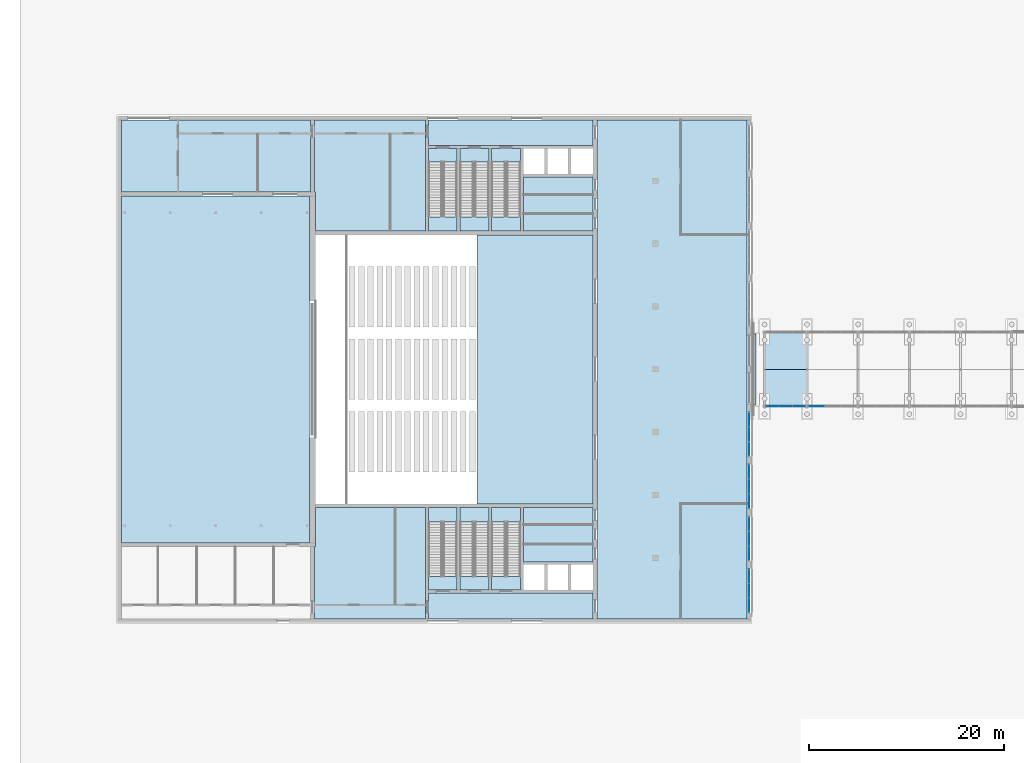
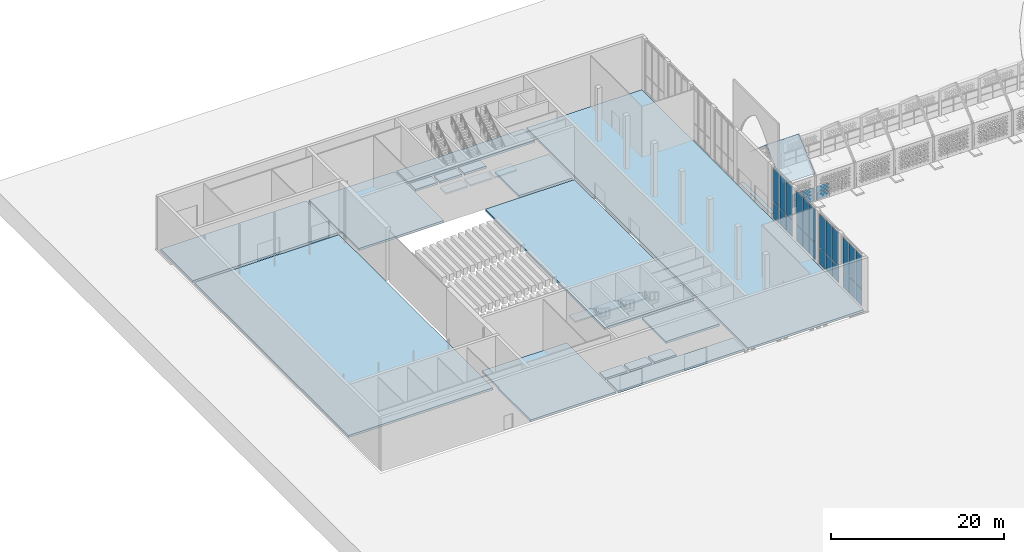
# One storey, part 33 of 79: 33 plates, 24 slabs, 12 elements without a shape of their own.
"""IFC4 building model written with IfcOpenShell, lengths in metres."""

from ifc_helpers import new_model, si_unit, direction, frame, origin, origin_2d, place, context, subcontext, project, spatial, polyline, rectangle, outline, extrude, material, layer, layer_set, type_object, element, aggregate, save


model = new_model("IFC4")

# Units and contexts
model_context = context("Model", 3, precision=1e-05, world=origin(), true_north=direction((0.0, 1.0)))
body_context = subcontext(model_context, "Body", "Model", "MODEL_VIEW")
ifc_project = project(units=[si_unit("LENGTHUNIT", "METRE"), si_unit("AREAUNIT", "SQUARE_METRE"), si_unit("VOLUMEUNIT", "CUBIC_METRE"), si_unit("PLANEANGLEUNIT", "RADIAN"), si_unit("MASSUNIT", "GRAM", prefix="KILO")], contexts=[model_context])

# Site, building, storey
site_placement = place(None, origin())
site = spatial("IfcSite", under=ifc_project, at=site_placement, CompositionType="ELEMENT")
building_placement = place(site_placement, origin())
building = spatial("IfcBuilding", under=site, at=building_placement, Name="Noorbagh Ring Tower", CompositionType="ELEMENT")
storey_placement = place(building_placement, origin())
storey = spatial("IfcBuildingStorey", under=building, at=storey_placement, Name="L00", CompositionType="ELEMENT", Elevation=0.0)

# Plate
ifc_material_1 = material(Name="Stainless steel cover plate", Category="steel")
ifc_layer_1 = layer(ifc_material_1, 0.014892578125)
ifc_layer_set_1 = layer_set([ifc_layer_1], Name="Stainless steel cover plate")
plate_type_1 = type_object("IfcPlateType", Name="AR-COVER", PredefinedType="SHEET", material=ifc_layer_set_1)
plate_1_placement = place(storey_placement, origin())
element("IfcPlate", 1, at=plate_1_placement, inside=storey, type_object=plate_type_1, Name="Movement joint cover plate west", PredefinedType="SHEET", context=body_context, shape_type="SweptSolid", body=[
    extrude(outline(polyline([(-95.0, 1.39990234375), (-94.5, 1.39990234375), (-94.5, 8.60009765625), (-95.0, 8.60009765625), (-95.0, 1.39990234375)])), origin(), (0.0, 0.0, 1.0), 0.014892578125),
])

# Curtain wall, plates
ifc_material_2 = material(Name="Aluminium and glass", Category="aluminium")
ifc_layer_2 = layer(ifc_material_2, 0.10009765625)
ifc_layer_set_2 = layer_set([ifc_layer_2], Name="Aluminium and glass")
curtain_wall_type_1 = type_object("IfcCurtainWallType", Name="AR-CW", PredefinedType="NOTDEFINED", material=ifc_layer_set_2)
curtain_wall_1_placement = place(storey_placement, origin())
curtain_wall_1 = element("IfcCurtainWall", 2, at=curtain_wall_1_placement, inside=storey, type_object=curtain_wall_type_1, Name="Arcade glazing", PredefinedType="NOTDEFINED")
ifc_material_3 = material(Name="Clear laminated glass", Category="glass")
ifc_layer_3 = layer(ifc_material_3, 0.02392578125)
ifc_layer_set_3 = layer_set([ifc_layer_3], Name="Clear laminated glass")
plate_type_2 = type_object("IfcPlateType", Name="AR-CW-PANEL", PredefinedType="CURTAIN_PANEL", material=ifc_layer_set_3)
plate_2_placement = place(storey_placement, frame((-92.779052734375, 1.199951171875, 0.0498046875), z_axis=(0.0, 0.0, 1.0), x_axis=(1.0, 0.0, 0.0)))
plate_2 = element("IfcPlate", 3, at=plate_2_placement, type_object=plate_type_2, Name="CW-A panel 1.1", PredefinedType="CURTAIN_PANEL", context=body_context, shape_type="SweptSolid", body=[
    extrude(rectangle(XDim=1.291748046875, YDim=0.02392578125, at=origin_2d()), origin(), (0.0, 0.0, 1.0), 0.925048828125),
])
plate_3_placement = place(storey_placement, frame((-92.779052734375, 1.199951171875, 1.02490234375), z_axis=(0.0, 0.0, 1.0), x_axis=(1.0, 0.0, 0.0)))
plate_3 = element("IfcPlate", 4, at=plate_3_placement, type_object=plate_type_2, Name="CW-A panel 1.2", PredefinedType="CURTAIN_PANEL", context=body_context, shape_type="SweptSolid", body=[
    extrude(rectangle(XDim=1.291748046875, YDim=0.02392578125, at=origin_2d()), origin(), (0.0, 0.0, 1.0), 0.925048828125),
])
plate_4_placement = place(storey_placement, frame((-91.425048828125, 1.199951171875, 0.0498046875), z_axis=(0.0, 0.0, 1.0), x_axis=(1.0, 0.0, 0.0)))
plate_4 = element("IfcPlate", 5, at=plate_4_placement, type_object=plate_type_2, Name="CW-A panel 2.1", PredefinedType="CURTAIN_PANEL", context=body_context, shape_type="SweptSolid", body=[
    extrude(rectangle(XDim=1.316650390625, YDim=0.02392578125, at=origin_2d()), origin(), (0.0, 0.0, 1.0), 0.925048828125),
])
plate_5_placement = place(storey_placement, frame((-91.425048828125, 1.199951171875, 1.02490234375), z_axis=(0.0, 0.0, 1.0), x_axis=(1.0, 0.0, 0.0)))
plate_5 = element("IfcPlate", 6, at=plate_5_placement, type_object=plate_type_2, Name="CW-A panel 2.2", PredefinedType="CURTAIN_PANEL", context=body_context, shape_type="SweptSolid", body=[
    extrude(rectangle(XDim=1.316650390625, YDim=0.02392578125, at=origin_2d()), origin(), (0.0, 0.0, 1.0), 0.925048828125),
])
plate_6_placement = place(storey_placement, frame((-90.07080078125, 1.199951171875, 0.0498046875), z_axis=(0.0, 0.0, 1.0), x_axis=(1.0, 0.0, 0.0)))
plate_6 = element("IfcPlate", 7, at=plate_6_placement, type_object=plate_type_2, Name="CW-A panel 3.1", PredefinedType="CURTAIN_PANEL", context=body_context, shape_type="SweptSolid", body=[
    extrude(rectangle(XDim=1.291748046875, YDim=0.02392578125, at=origin_2d()), origin(), (0.0, 0.0, 1.0), 0.925048828125),
])
plate_7_placement = place(storey_placement, frame((-90.07080078125, 1.199951171875, 1.02490234375), z_axis=(0.0, 0.0, 1.0), x_axis=(1.0, 0.0, 0.0)))
plate_7 = element("IfcPlate", 8, at=plate_7_placement, type_object=plate_type_2, Name="CW-A panel 3.2", PredefinedType="CURTAIN_PANEL", context=body_context, shape_type="SweptSolid", body=[
    extrude(rectangle(XDim=1.291748046875, YDim=0.02392578125, at=origin_2d()), origin(), (0.0, 0.0, 1.0), 0.925048828125),
])
aggregate(curtain_wall_1, [plate_2, plate_3, plate_4, plate_5, plate_6, plate_7])

curtain_wall_2_placement = place(storey_placement, origin())
curtain_wall_2 = element("IfcCurtainWall", 9, at=curtain_wall_2_placement, inside=storey, type_object=curtain_wall_type_1, Name="Arcade glazing", PredefinedType="NOTDEFINED")
plate_8_placement = place(storey_placement, frame((-88.279052734375, 1.199951171875, 0.0498046875), z_axis=(0.0, 0.0, 1.0), x_axis=(1.0, 0.0, 0.0)))
plate_8 = element("IfcPlate", 10, at=plate_8_placement, type_object=plate_type_2, Name="CW-A panel 1.1", PredefinedType="CURTAIN_PANEL", context=body_context, shape_type="SweptSolid", body=[
    extrude(rectangle(XDim=1.591552734375, YDim=0.02392578125, at=origin_2d()), origin(), (0.0, 0.0, 1.0), 0.925048828125),
])
plate_9_placement = place(storey_placement, frame((-88.279052734375, 1.199951171875, 1.02490234375), z_axis=(0.0, 0.0, 1.0), x_axis=(1.0, 0.0, 0.0)))
plate_9 = element("IfcPlate", 11, at=plate_9_placement, type_object=plate_type_2, Name="CW-A panel 1.2", PredefinedType="CURTAIN_PANEL", context=body_context, shape_type="SweptSolid", body=[
    extrude(rectangle(XDim=1.591552734375, YDim=0.02392578125, at=origin_2d()), origin(), (0.0, 0.0, 1.0), 0.925048828125),
])
aggregate(curtain_wall_2, [plate_8, plate_9])

# Slabs
ifc_material_4 = material(Name="Laminated glass", Category="glass")
ifc_layer_4 = layer(ifc_material_4, 0.030029296875)
ifc_layer_set_4 = layer_set([ifc_layer_4], Name="Laminated glass")
slab_type_1 = type_object("IfcSlabType", Name="AR-ROOF-GLASS", PredefinedType="ROOF", material=ifc_layer_set_4)
slab_1_placement = place(storey_placement, frame((-93.599609375, 1.199951171875, 3.83837890625), z_axis=(0.0, -0.655687383167, 0.755032486424), x_axis=(1.0, 0.0, 0.0)))
element("IfcSlab", 12, at=slab_1_placement, inside=storey, type_object=slab_type_1, Name="Arcade roof glass", PredefinedType="ROOF", context=body_context, shape_type="SweptSolid", body=[
    extrude(outline(polyline([(0.0, 0.0), (4.34912109375, 0.0), (4.34912109375, 5.032960695668443), (0.0, 5.032960695668443), (0.0, 0.0)])), origin(), (0.0, 0.0, -1.0), 0.030029296875),
])
slab_2_placement = place(storey_placement, frame((-93.599609375, 8.800048828125, 3.83837890625), z_axis=(0.0, 0.655687383167, 0.755032486424), x_axis=(1.0, 0.0, 0.0)))
element("IfcSlab", 13, at=slab_2_placement, inside=storey, type_object=slab_type_1, Name="Arcade roof glass", PredefinedType="ROOF", context=body_context, shape_type="SweptSolid", body=[
    extrude(outline(polyline([(0.0, 0.0), (4.34912109375, 0.0), (4.34912109375, -5.032960695668443), (0.0, -5.032960695668443), (0.0, 0.0)])), origin(), (0.0, 0.0, -1.0), 0.030029296875),
])

# Curtain wall, plates
ifc_material_5 = material(Name="Aluminium and glass", Category="aluminium")
ifc_layer_5 = layer(ifc_material_5, 0.199951171875)
ifc_layer_set_5 = layer_set([ifc_layer_5], Name="Aluminium and glass")
curtain_wall_type_2 = type_object("IfcCurtainWallType", Name="TH-CW", PredefinedType="NOTDEFINED", material=ifc_layer_set_5)
curtain_wall_3_placement = place(storey_placement, origin())
curtain_wall_3 = element("IfcCurtainWall", 14, at=curtain_wall_3_placement, inside=storey, type_object=curtain_wall_type_2, Name="Foyer glazing", PredefinedType="NOTDEFINED")
ifc_material_6 = material(Name="Clear laminated glass", Category="glass")
ifc_layer_6 = layer(ifc_material_6, 0.028076171875)
ifc_layer_set_6 = layer_set([ifc_layer_6], Name="Clear laminated glass")
plate_type_3 = type_object("IfcPlateType", Name="TH-CW-PANEL", PredefinedType="CURTAIN_PANEL", material=ifc_layer_set_6)
plate_10_placement = place(storey_placement, frame((-95.199951171875, -19.2265625, 0.06005859375), z_axis=(0.0, 0.0, 1.0), x_axis=(0.0, 1.0, 0.0)))
plate_10 = element("IfcPlate", 15, at=plate_10_placement, type_object=plate_type_3, Name="CW-T panel 1.1", PredefinedType="CURTAIN_PANEL", context=body_context, shape_type="SweptSolid", body=[
    extrude(rectangle(XDim=1.4267578125, YDim=0.028076171875, at=origin_2d()), origin(), (0.0, 0.0, 1.0), 2.31005859375),
])
plate_11_placement = place(storey_placement, frame((-95.199951171875, -19.2265625, 2.429931640625), z_axis=(0.0, 0.0, 1.0), x_axis=(0.0, 1.0, 0.0)))
plate_11 = element("IfcPlate", 16, at=plate_11_placement, type_object=plate_type_3, Name="CW-T panel 1.2", PredefinedType="CURTAIN_PANEL", context=body_context, shape_type="SweptSolid", body=[
    extrude(rectangle(XDim=1.4267578125, YDim=0.028076171875, at=origin_2d()), origin(), (0.0, 0.0, 1.0), 4.7099609375),
])
plate_12_placement = place(storey_placement, frame((-95.199951171875, -17.72509765625, 0.06005859375), z_axis=(0.0, 0.0, 1.0), x_axis=(0.0, 1.0, 0.0)))
plate_12 = element("IfcPlate", 17, at=plate_12_placement, type_object=plate_type_3, Name="CW-T panel 2.1", PredefinedType="CURTAIN_PANEL", context=body_context, shape_type="SweptSolid", body=[
    extrude(rectangle(XDim=1.456787109375, YDim=0.028076171875, at=origin_2d()), origin(), (0.0, 0.0, 1.0), 2.31005859375),
])
plate_13_placement = place(storey_placement, frame((-95.199951171875, -17.72509765625, 2.429931640625), z_axis=(0.0, 0.0, 1.0), x_axis=(0.0, 1.0, 0.0)))
plate_13 = element("IfcPlate", 18, at=plate_13_placement, type_object=plate_type_3, Name="CW-T panel 2.2", PredefinedType="CURTAIN_PANEL", context=body_context, shape_type="SweptSolid", body=[
    extrude(rectangle(XDim=1.456787109375, YDim=0.028076171875, at=origin_2d()), origin(), (0.0, 0.0, 1.0), 4.7099609375),
])
plate_14_placement = place(storey_placement, frame((-95.199951171875, -16.223388671875, 0.06005859375), z_axis=(0.0, 0.0, 1.0), x_axis=(0.0, 1.0, 0.0)))
plate_14 = element("IfcPlate", 19, at=plate_14_placement, type_object=plate_type_3, Name="CW-T panel 3.1", PredefinedType="CURTAIN_PANEL", context=body_context, shape_type="SweptSolid", body=[
    extrude(rectangle(XDim=1.4267578125, YDim=0.028076171875, at=origin_2d()), origin(), (0.0, 0.0, 1.0), 2.31005859375),
])
plate_15_placement = place(storey_placement, frame((-95.199951171875, -16.223388671875, 2.429931640625), z_axis=(0.0, 0.0, 1.0), x_axis=(0.0, 1.0, 0.0)))
plate_15 = element("IfcPlate", 20, at=plate_15_placement, type_object=plate_type_3, Name="CW-T panel 3.2", PredefinedType="CURTAIN_PANEL", context=body_context, shape_type="SweptSolid", body=[
    extrude(rectangle(XDim=1.4267578125, YDim=0.028076171875, at=origin_2d()), origin(), (0.0, 0.0, 1.0), 4.7099609375),
])
aggregate(curtain_wall_3, [plate_10, plate_11, plate_12, plate_13, plate_14, plate_15])

curtain_wall_4_placement = place(storey_placement, origin())
curtain_wall_4 = element("IfcCurtainWall", 21, at=curtain_wall_4_placement, inside=storey, type_object=curtain_wall_type_2, Name="Foyer glazing", PredefinedType="NOTDEFINED")
plate_16_placement = place(storey_placement, frame((-95.199951171875, -13.876708984375, 0.06005859375), z_axis=(0.0, 0.0, 1.0), x_axis=(0.0, 1.0, 0.0)))
plate_16 = element("IfcPlate", 22, at=plate_16_placement, type_object=plate_type_3, Name="CW-T panel 1.1", PredefinedType="CURTAIN_PANEL", context=body_context, shape_type="SweptSolid", body=[
    extrude(rectangle(XDim=1.4267578125, YDim=0.028076171875, at=origin_2d()), origin(), (0.0, 0.0, 1.0), 2.31005859375),
])
plate_17_placement = place(storey_placement, frame((-95.199951171875, -13.876708984375, 2.429931640625), z_axis=(0.0, 0.0, 1.0), x_axis=(0.0, 1.0, 0.0)))
plate_17 = element("IfcPlate", 23, at=plate_17_placement, type_object=plate_type_3, Name="CW-T panel 1.2", PredefinedType="CURTAIN_PANEL", context=body_context, shape_type="SweptSolid", body=[
    extrude(rectangle(XDim=1.4267578125, YDim=0.028076171875, at=origin_2d()), origin(), (0.0, 0.0, 1.0), 4.7099609375),
])
plate_18_placement = place(storey_placement, frame((-95.199951171875, -12.375, 0.06005859375), z_axis=(0.0, 0.0, 1.0), x_axis=(0.0, 1.0, 0.0)))
plate_18 = element("IfcPlate", 24, at=plate_18_placement, type_object=plate_type_3, Name="CW-T panel 2.1", PredefinedType="CURTAIN_PANEL", context=body_context, shape_type="SweptSolid", body=[
    extrude(rectangle(XDim=1.456787109375, YDim=0.028076171875, at=origin_2d()), origin(), (0.0, 0.0, 1.0), 2.31005859375),
])
plate_19_placement = place(storey_placement, frame((-95.199951171875, -12.375, 2.429931640625), z_axis=(0.0, 0.0, 1.0), x_axis=(0.0, 1.0, 0.0)))
plate_19 = element("IfcPlate", 25, at=plate_19_placement, type_object=plate_type_3, Name="CW-T panel 2.2", PredefinedType="CURTAIN_PANEL", context=body_context, shape_type="SweptSolid", body=[
    extrude(rectangle(XDim=1.456787109375, YDim=0.028076171875, at=origin_2d()), origin(), (0.0, 0.0, 1.0), 4.7099609375),
])
plate_20_placement = place(storey_placement, frame((-95.199951171875, -10.873291015625, 0.06005859375), z_axis=(0.0, 0.0, 1.0), x_axis=(0.0, 1.0, 0.0)))
plate_20 = element("IfcPlate", 26, at=plate_20_placement, type_object=plate_type_3, Name="CW-T panel 3.1", PredefinedType="CURTAIN_PANEL", context=body_context, shape_type="SweptSolid", body=[
    extrude(rectangle(XDim=1.4267578125, YDim=0.028076171875, at=origin_2d()), origin(), (0.0, 0.0, 1.0), 2.31005859375),
])
plate_21_placement = place(storey_placement, frame((-95.199951171875, -10.873291015625, 2.429931640625), z_axis=(0.0, 0.0, 1.0), x_axis=(0.0, 1.0, 0.0)))
plate_21 = element("IfcPlate", 27, at=plate_21_placement, type_object=plate_type_3, Name="CW-T panel 3.2", PredefinedType="CURTAIN_PANEL", context=body_context, shape_type="SweptSolid", body=[
    extrude(rectangle(XDim=1.4267578125, YDim=0.028076171875, at=origin_2d()), origin(), (0.0, 0.0, 1.0), 4.7099609375),
])
aggregate(curtain_wall_4, [plate_16, plate_17, plate_18, plate_19, plate_20, plate_21])

curtain_wall_5_placement = place(storey_placement, origin())
curtain_wall_5 = element("IfcCurtainWall", 28, at=curtain_wall_5_placement, inside=storey, type_object=curtain_wall_type_2, Name="Foyer glazing", PredefinedType="NOTDEFINED")
plate_22_placement = place(storey_placement, frame((-95.199951171875, -8.526611328125, 0.06005859375), z_axis=(0.0, 0.0, 1.0), x_axis=(0.0, 1.0, 0.0)))
plate_22 = element("IfcPlate", 29, at=plate_22_placement, type_object=plate_type_3, Name="CW-T panel 1.1", PredefinedType="CURTAIN_PANEL", context=body_context, shape_type="SweptSolid", body=[
    extrude(rectangle(XDim=1.4267578125, YDim=0.028076171875, at=origin_2d()), origin(), (0.0, 0.0, 1.0), 2.31005859375),
])
plate_23_placement = place(storey_placement, frame((-95.199951171875, -8.526611328125, 2.429931640625), z_axis=(0.0, 0.0, 1.0), x_axis=(0.0, 1.0, 0.0)))
plate_23 = element("IfcPlate", 30, at=plate_23_placement, type_object=plate_type_3, Name="CW-T panel 1.2", PredefinedType="CURTAIN_PANEL", context=body_context, shape_type="SweptSolid", body=[
    extrude(rectangle(XDim=1.4267578125, YDim=0.028076171875, at=origin_2d()), origin(), (0.0, 0.0, 1.0), 4.7099609375),
])
plate_24_placement = place(storey_placement, frame((-95.199951171875, -7.02490234375, 0.06005859375), z_axis=(0.0, 0.0, 1.0), x_axis=(0.0, 1.0, 0.0)))
plate_24 = element("IfcPlate", 31, at=plate_24_placement, type_object=plate_type_3, Name="CW-T panel 2.1", PredefinedType="CURTAIN_PANEL", context=body_context, shape_type="SweptSolid", body=[
    extrude(rectangle(XDim=1.456787109375, YDim=0.028076171875, at=origin_2d()), origin(), (0.0, 0.0, 1.0), 2.31005859375),
])
plate_25_placement = place(storey_placement, frame((-95.199951171875, -7.02490234375, 2.429931640625), z_axis=(0.0, 0.0, 1.0), x_axis=(0.0, 1.0, 0.0)))
plate_25 = element("IfcPlate", 32, at=plate_25_placement, type_object=plate_type_3, Name="CW-T panel 2.2", PredefinedType="CURTAIN_PANEL", context=body_context, shape_type="SweptSolid", body=[
    extrude(rectangle(XDim=1.456787109375, YDim=0.028076171875, at=origin_2d()), origin(), (0.0, 0.0, 1.0), 4.7099609375),
])
plate_26_placement = place(storey_placement, frame((-95.199951171875, -5.5234375, 0.06005859375), z_axis=(0.0, 0.0, 1.0), x_axis=(0.0, 1.0, 0.0)))
plate_26 = element("IfcPlate", 33, at=plate_26_placement, type_object=plate_type_3, Name="CW-T panel 3.1", PredefinedType="CURTAIN_PANEL", context=body_context, shape_type="SweptSolid", body=[
    extrude(rectangle(XDim=1.4267578125, YDim=0.028076171875, at=origin_2d()), origin(), (0.0, 0.0, 1.0), 2.31005859375),
])
plate_27_placement = place(storey_placement, frame((-95.199951171875, -5.5234375, 2.429931640625), z_axis=(0.0, 0.0, 1.0), x_axis=(0.0, 1.0, 0.0)))
plate_27 = element("IfcPlate", 34, at=plate_27_placement, type_object=plate_type_3, Name="CW-T panel 3.2", PredefinedType="CURTAIN_PANEL", context=body_context, shape_type="SweptSolid", body=[
    extrude(rectangle(XDim=1.4267578125, YDim=0.028076171875, at=origin_2d()), origin(), (0.0, 0.0, 1.0), 4.7099609375),
])
aggregate(curtain_wall_5, [plate_22, plate_23, plate_24, plate_25, plate_26, plate_27])

curtain_wall_6_placement = place(storey_placement, origin())
curtain_wall_6 = element("IfcCurtainWall", 35, at=curtain_wall_6_placement, inside=storey, type_object=curtain_wall_type_2, Name="Foyer glazing", PredefinedType="NOTDEFINED")
plate_28_placement = place(storey_placement, frame((-95.199951171875, -3.1767578125, 0.06005859375), z_axis=(0.0, 0.0, 1.0), x_axis=(0.0, 1.0, 0.0)))
plate_28 = element("IfcPlate", 36, at=plate_28_placement, type_object=plate_type_3, Name="CW-T panel 1.1", PredefinedType="CURTAIN_PANEL", context=body_context, shape_type="SweptSolid", body=[
    extrude(rectangle(XDim=1.4267578125, YDim=0.028076171875, at=origin_2d()), origin(), (0.0, 0.0, 1.0), 2.31005859375),
])
plate_29_placement = place(storey_placement, frame((-95.199951171875, -3.1767578125, 2.429931640625), z_axis=(0.0, 0.0, 1.0), x_axis=(0.0, 1.0, 0.0)))
plate_29 = element("IfcPlate", 37, at=plate_29_placement, type_object=plate_type_3, Name="CW-T panel 1.2", PredefinedType="CURTAIN_PANEL", context=body_context, shape_type="SweptSolid", body=[
    extrude(rectangle(XDim=1.4267578125, YDim=0.028076171875, at=origin_2d()), origin(), (0.0, 0.0, 1.0), 4.7099609375),
])
plate_30_placement = place(storey_placement, frame((-95.199951171875, -1.675048828125, 0.06005859375), z_axis=(0.0, 0.0, 1.0), x_axis=(0.0, 1.0, 0.0)))
plate_30 = element("IfcPlate", 38, at=plate_30_placement, type_object=plate_type_3, Name="CW-T panel 2.1", PredefinedType="CURTAIN_PANEL", context=body_context, shape_type="SweptSolid", body=[
    extrude(rectangle(XDim=1.456787109375, YDim=0.028076171875, at=origin_2d()), origin(), (0.0, 0.0, 1.0), 2.31005859375),
])
plate_31_placement = place(storey_placement, frame((-95.199951171875, -1.675048828125, 2.429931640625), z_axis=(0.0, 0.0, 1.0), x_axis=(0.0, 1.0, 0.0)))
plate_31 = element("IfcPlate", 39, at=plate_31_placement, type_object=plate_type_3, Name="CW-T panel 2.2", PredefinedType="CURTAIN_PANEL", context=body_context, shape_type="SweptSolid", body=[
    extrude(rectangle(XDim=1.456787109375, YDim=0.028076171875, at=origin_2d()), origin(), (0.0, 0.0, 1.0), 4.7099609375),
])
plate_32_placement = place(storey_placement, frame((-95.199951171875, -0.17333984375, 0.06005859375), z_axis=(0.0, 0.0, 1.0), x_axis=(0.0, 1.0, 0.0)))
plate_32 = element("IfcPlate", 40, at=plate_32_placement, type_object=plate_type_3, Name="CW-T panel 3.1", PredefinedType="CURTAIN_PANEL", context=body_context, shape_type="SweptSolid", body=[
    extrude(rectangle(XDim=1.4267578125, YDim=0.028076171875, at=origin_2d()), origin(), (0.0, 0.0, 1.0), 2.31005859375),
])
plate_33_placement = place(storey_placement, frame((-95.199951171875, -0.17333984375, 2.429931640625), z_axis=(0.0, 0.0, 1.0), x_axis=(0.0, 1.0, 0.0)))
plate_33 = element("IfcPlate", 41, at=plate_33_placement, type_object=plate_type_3, Name="CW-T panel 3.2", PredefinedType="CURTAIN_PANEL", context=body_context, shape_type="SweptSolid", body=[
    extrude(rectangle(XDim=1.4267578125, YDim=0.028076171875, at=origin_2d()), origin(), (0.0, 0.0, 1.0), 4.7099609375),
])
aggregate(curtain_wall_6, [plate_28, plate_29, plate_30, plate_31, plate_32, plate_33])

# Slabs
ifc_material_7 = material(Name="Concrete C40/50", Category="concrete")
ifc_layer_7 = layer(ifc_material_7, 0.300048828125)
ifc_layer_set_7 = layer_set([ifc_layer_7], Name="Concrete C40/50")
slab_type_2 = type_object("IfcSlabType", Name="TH-SLAB-FLOOR", PredefinedType="FLOOR", material=ifc_layer_set_7)
slab_3_placement = place(storey_placement, frame((0.0, 0.0, -0.300048828125)))
element("IfcSlab", 42, at=slab_3_placement, inside=storey, type_object=slab_type_2, Name="Floor slab", PredefinedType="FLOOR", context=body_context, shape_type="SweptSolid", body=[
    extrude(outline(polyline([(-140.300048828125, 12.0), (-140.300048828125, 22.800048828125), (-159.60009765625, 22.800048828125), (-159.60009765625, -12.800048828125), (-140.300048828125, -12.800048828125), (-140.300048828125, -2.0), (-140.300048828125, 12.0)])), origin(), (0.0, 0.0, 1.0), 0.300048828125),
])
slab_4_placement = place(storey_placement, frame((0.0, 0.0, -0.300048828125)))
element("IfcSlab", 43, at=slab_4_placement, inside=storey, type_object=slab_type_2, Name="Floor slab", PredefinedType="FLOOR", context=body_context, shape_type="SweptSolid", body=[
    extrude(outline(polyline([(-159.60009765625, 30.60009765625), (-159.60009765625, 23.199951171875), (-140.199951171875, 23.199951171875), (-140.199951171875, 30.60009765625), (-159.60009765625, 30.60009765625)])), origin(), (0.0, 0.0, 1.0), 0.300048828125),
])
slab_5_placement = place(storey_placement, frame((0.0, 0.0, -0.300048828125)))
element("IfcSlab", 44, at=slab_5_placement, inside=storey, type_object=slab_type_2, Name="Floor slab", PredefinedType="FLOOR", context=body_context, shape_type="SweptSolid", body=[
    extrude(outline(polyline([(-128.39990234375, -20.60009765625), (-128.39990234375, -9.199951171875), (-139.699951171875, -9.199951171875), (-139.699951171875, -12.800048828125), (-139.699951171875, -13.199951171875), (-139.800048828125, -13.199951171875), (-139.800048828125, -20.60009765625), (-128.39990234375, -20.60009765625)])), origin(), (0.0, 0.0, 1.0), 0.300048828125),
])
slab_6_placement = place(storey_placement, frame((0.0, 0.0, -0.300048828125)))
element("IfcSlab", 45, at=slab_6_placement, inside=storey, type_object=slab_type_2, Name="Floor slab", PredefinedType="FLOOR", context=body_context, shape_type="SweptSolid", body=[
    extrude(outline(polyline([(-139.699951171875, 19.199951171875), (-128.39990234375, 19.199951171875), (-128.39990234375, 30.60009765625), (-139.800048828125, 30.60009765625), (-139.800048828125, 23.199951171875), (-139.699951171875, 23.199951171875), (-139.699951171875, 22.800048828125), (-139.699951171875, 19.199951171875)])), origin(), (0.0, 0.0, 1.0), 0.300048828125),
])
slab_7_placement = place(storey_placement, frame((0.0, 0.0, -0.300048828125)))
element("IfcSlab", 46, at=slab_7_placement, inside=storey, type_object=slab_type_2, Name="Floor slab", PredefinedType="FLOOR", context=body_context, shape_type="SweptSolid", body=[
    extrude(outline(polyline([(-125.14990234375, -16.24951171875), (-128.10009765625, -16.24951171875), (-128.10009765625, -17.64990234375), (-125.14990234375, -17.64990234375), (-125.14990234375, -16.24951171875)])), origin(), (0.0, 0.0, 1.0), 0.300048828125),
])
slab_8_placement = place(storey_placement, frame((0.0, 0.0, -0.300048828125)))
element("IfcSlab", 47, at=slab_8_placement, inside=storey, type_object=slab_type_2, Name="Floor slab", PredefinedType="FLOOR", context=body_context, shape_type="SweptSolid", body=[
    extrude(outline(polyline([(-125.14990234375, 27.64990234375), (-128.10009765625, 27.64990234375), (-128.10009765625, 26.24951171875), (-125.14990234375, 26.24951171875), (-125.14990234375, 27.64990234375)])), origin(), (0.0, 0.0, 1.0), 0.300048828125),
])
slab_9_placement = place(storey_placement, frame((0.0, 0.0, -0.300048828125)))
element("IfcSlab", 48, at=slab_9_placement, inside=storey, type_object=slab_type_2, Name="Floor slab", PredefinedType="FLOOR", context=body_context, shape_type="SweptSolid", body=[
    extrude(outline(polyline([(-121.89990234375, -17.64990234375), (-121.89990234375, -16.24951171875), (-124.85009765625, -16.24951171875), (-124.85009765625, -17.64990234375), (-121.89990234375, -17.64990234375)])), origin(), (0.0, 0.0, 1.0), 0.300048828125),
])
slab_10_placement = place(storey_placement, frame((0.0, 0.0, -0.300048828125)))
element("IfcSlab", 49, at=slab_10_placement, inside=storey, type_object=slab_type_2, Name="Floor slab", PredefinedType="FLOOR", context=body_context, shape_type="SweptSolid", body=[
    extrude(outline(polyline([(-121.89990234375, 27.64990234375), (-124.85009765625, 27.64990234375), (-124.85009765625, 26.24951171875), (-121.89990234375, 26.24951171875), (-121.89990234375, 27.64990234375)])), origin(), (0.0, 0.0, 1.0), 0.300048828125),
])
slab_11_placement = place(storey_placement, frame((0.0, 0.0, -0.300048828125)))
element("IfcSlab", 50, at=slab_11_placement, inside=storey, type_object=slab_type_2, Name="Floor slab", PredefinedType="FLOOR", context=body_context, shape_type="SweptSolid", body=[
    extrude(outline(polyline([(-118.64990234375, -16.24951171875), (-121.60009765625, -16.24951171875), (-121.60009765625, -17.64990234375), (-118.64990234375, -17.64990234375), (-118.64990234375, -16.24951171875)])), origin(), (0.0, 0.0, 1.0), 0.300048828125),
])
slab_12_placement = place(storey_placement, frame((0.0, 0.0, -0.300048828125)))
element("IfcSlab", 51, at=slab_12_placement, inside=storey, type_object=slab_type_2, Name="Floor slab", PredefinedType="FLOOR", context=body_context, shape_type="SweptSolid", body=[
    extrude(outline(polyline([(-121.60009765625, 27.64990234375), (-121.60009765625, 26.24951171875), (-118.64990234375, 26.24951171875), (-118.64990234375, 27.64990234375), (-121.60009765625, 27.64990234375)])), origin(), (0.0, 0.0, 1.0), 0.300048828125),
])
slab_13_placement = place(storey_placement, frame((0.0, 0.0, -0.300048828125)))
element("IfcSlab", 52, at=slab_13_placement, inside=storey, type_object=slab_type_2, Name="Floor slab", PredefinedType="FLOOR", context=body_context, shape_type="SweptSolid", body=[
    extrude(outline(polyline([(-111.199951171875, -20.60009765625), (-111.199951171875, -17.949951171875), (-128.10009765625, -17.949951171875), (-128.10009765625, -20.60009765625), (-111.199951171875, -20.60009765625)])), origin(), (0.0, 0.0, 1.0), 0.300048828125),
])
slab_14_placement = place(storey_placement, frame((0.0, 0.0, -0.300048828125)))
element("IfcSlab", 53, at=slab_14_placement, inside=storey, type_object=slab_type_2, Name="Floor slab", PredefinedType="FLOOR", context=body_context, shape_type="SweptSolid", body=[
    extrude(outline(polyline([(-111.199951171875, 27.949951171875), (-111.199951171875, 30.60009765625), (-128.10009765625, 30.60009765625), (-128.10009765625, 27.949951171875), (-111.199951171875, 27.949951171875)])), origin(), (0.0, 0.0, 1.0), 0.300048828125),
])
slab_15_placement = place(storey_placement, frame((0.0, 0.0, -0.300048828125)))
element("IfcSlab", 54, at=slab_15_placement, inside=storey, type_object=slab_type_2, Name="Floor slab", PredefinedType="FLOOR", context=body_context, shape_type="SweptSolid", body=[
    extrude(outline(polyline([(-111.199951171875, -14.75), (-111.199951171875, -9.199951171875), (-118.35009765625, -9.199951171875), (-118.35009765625, -14.75), (-111.199951171875, -14.75)])), origin(), (0.0, 0.0, 1.0), 0.300048828125),
])
slab_16_placement = place(storey_placement, frame((0.0, 0.0, -0.300048828125)))
element("IfcSlab", 55, at=slab_16_placement, inside=storey, type_object=slab_type_2, Name="Floor slab", PredefinedType="FLOOR", context=body_context, shape_type="SweptSolid", body=[
    extrude(outline(polyline([(-118.35009765625, 24.75), (-118.35009765625, 19.199951171875), (-111.199951171875, 19.199951171875), (-111.199951171875, 24.75), (-118.35009765625, 24.75)])), origin(), (0.0, 0.0, 1.0), 0.300048828125),
])
slab_17_placement = place(storey_placement, frame((0.0, 0.0, -0.300048828125)))
element("IfcSlab", 56, at=slab_17_placement, inside=storey, type_object=slab_type_2, Name="Floor slab", PredefinedType="FLOOR", context=body_context, shape_type="SweptSolid", body=[
    extrude(outline(polyline([(-95.39990234375, 19.300048828125), (-95.39990234375, 20.10009765625), (-95.39990234375, 24.64990234375), (-95.39990234375, 25.449951171875), (-95.39990234375, 30.0), (-95.39990234375, 30.60009765625), (-110.800048828125, 30.60009765625), (-110.800048828125, -20.60009765625), (-95.39990234375, -20.60009765625), (-95.39990234375, -20.0), (-95.39990234375, -15.449951171875), (-95.39990234375, -14.64990234375), (-95.39990234375, -10.10009765625), (-95.39990234375, -9.300048828125), (-95.39990234375, -4.75), (-95.39990234375, -3.949951171875), (-95.39990234375, 0.60009765625), (-95.39990234375, 1.39990234375), (-95.39990234375, 8.60009765625), (-95.39990234375, 9.39990234375), (-95.39990234375, 13.949951171875), (-95.39990234375, 14.75), (-95.39990234375, 19.300048828125)])), origin(), (0.0, 0.0, 1.0), 0.300048828125),
])
ifc_material_8 = material(Name="Concrete C40/50", Category="concrete")
ifc_layer_8 = layer(ifc_material_8, 0.300048828125)
ifc_layer_set_8 = layer_set([ifc_layer_8], Name="Concrete C40/50")
slab_type_3 = type_object("IfcSlabType", Name="TH-SLAB-TERRACE", PredefinedType="FLOOR", material=ifc_layer_set_8)
slab_18_placement = place(storey_placement, frame((0.0, 0.0, -0.300048828125)))
element("IfcSlab", 57, at=slab_18_placement, inside=storey, type_object=slab_type_3, Name="Stalls rear floor", PredefinedType="FLOOR", context=body_context, shape_type="SweptSolid", body=[
    extrude(outline(polyline([(-123.10009765625, -8.800048828125), (-111.199951171875, -8.800048828125), (-111.199951171875, 18.800048828125), (-123.10009765625, 18.800048828125), (-123.10009765625, -8.800048828125)])), origin(), (0.0, 0.0, 1.0), 0.300048828125),
])

# Stair, slab
ifc_material_9 = material(Name="Concrete C40/50", Category="concrete")
stair_type = type_object("IfcStairType", Name="TH-STAIR", PredefinedType="HALF_TURN_STAIR", material=ifc_material_9)
stair_1_placement = place(storey_placement, origin())
stair_1 = element("IfcStair", 58, at=stair_1_placement, inside=storey, type_object=stair_type, Name="L00 Exit stair S1", PredefinedType="HALF_TURN_STAIR")
ifc_material_10 = material(Name="Concrete C40/50", Category="concrete")
ifc_layer_9 = layer(ifc_material_10, 0.199951171875)
ifc_layer_set_9 = layer_set([ifc_layer_9], Name="Concrete C40/50")
slab_type_4 = type_object("IfcSlabType", Name="TH-STAIR-LANDING", PredefinedType="LANDING", material=ifc_layer_set_9)
slab_19_placement = place(storey_placement, frame((0.0, 0.0, 3.550048828125)))
slab_19 = element("IfcSlab", 59, at=slab_19_placement, type_object=slab_type_4, Name="TSS1 landing 1", PredefinedType="LANDING", context=body_context, shape_type="SweptSolid", body=[
    extrude(outline(polyline([(-121.89990234375, -10.64990234375), (-121.89990234375, -9.199951171875), (-124.85009765625, -9.199951171875), (-124.85009765625, -10.64990234375), (-121.89990234375, -10.64990234375)])), origin(), (0.0, 0.0, 1.0), 0.199951171875),
])
aggregate(stair_1, [slab_19])

stair_2_placement = place(storey_placement, origin())
stair_2 = element("IfcStair", 60, at=stair_2_placement, inside=storey, type_object=stair_type, Name="L00 Exit stair S2", PredefinedType="HALF_TURN_STAIR")
slab_20_placement = place(storey_placement, frame((0.0, 0.0, 3.550048828125)))
slab_20 = element("IfcSlab", 61, at=slab_20_placement, type_object=slab_type_4, Name="TSS2 landing 1", PredefinedType="LANDING", context=body_context, shape_type="SweptSolid", body=[
    extrude(outline(polyline([(-118.64990234375, -10.64990234375), (-118.64990234375, -9.199951171875), (-121.60009765625, -9.199951171875), (-121.60009765625, -10.64990234375), (-118.64990234375, -10.64990234375)])), origin(), (0.0, 0.0, 1.0), 0.199951171875),
])
aggregate(stair_2, [slab_20])

stair_3_placement = place(storey_placement, origin())
stair_3 = element("IfcStair", 62, at=stair_3_placement, inside=storey, type_object=stair_type, Name="L00 Exit stair S3", PredefinedType="HALF_TURN_STAIR")
slab_21_placement = place(storey_placement, frame((0.0, 0.0, 3.550048828125)))
slab_21 = element("IfcSlab", 63, at=slab_21_placement, type_object=slab_type_4, Name="TSS3 landing 1", PredefinedType="LANDING", context=body_context, shape_type="SweptSolid", body=[
    extrude(outline(polyline([(-125.14990234375, -10.64990234375), (-125.14990234375, -9.199951171875), (-128.10009765625, -9.199951171875), (-128.10009765625, -10.64990234375), (-125.14990234375, -10.64990234375)])), origin(), (0.0, 0.0, 1.0), 0.199951171875),
])
aggregate(stair_3, [slab_21])

stair_4_placement = place(storey_placement, origin())
stair_4 = element("IfcStair", 64, at=stair_4_placement, inside=storey, type_object=stair_type, Name="L00 Exit stair N1", PredefinedType="HALF_TURN_STAIR")
slab_22_placement = place(storey_placement, frame((0.0, 0.0, 3.550048828125)))
slab_22 = element("IfcSlab", 65, at=slab_22_placement, type_object=slab_type_4, Name="TSN1 landing 1", PredefinedType="LANDING", context=body_context, shape_type="SweptSolid", body=[
    extrude(outline(polyline([(-124.85009765625, 20.64990234375), (-124.85009765625, 19.199951171875), (-121.89990234375, 19.199951171875), (-121.89990234375, 20.64990234375), (-124.85009765625, 20.64990234375)])), origin(), (0.0, 0.0, 1.0), 0.199951171875),
])
aggregate(stair_4, [slab_22])

stair_5_placement = place(storey_placement, origin())
stair_5 = element("IfcStair", 66, at=stair_5_placement, inside=storey, type_object=stair_type, Name="L00 Exit stair N2", PredefinedType="HALF_TURN_STAIR")
slab_23_placement = place(storey_placement, frame((0.0, 0.0, 3.550048828125)))
slab_23 = element("IfcSlab", 67, at=slab_23_placement, type_object=slab_type_4, Name="TSN2 landing 1", PredefinedType="LANDING", context=body_context, shape_type="SweptSolid", body=[
    extrude(outline(polyline([(-121.60009765625, 20.64990234375), (-121.60009765625, 19.199951171875), (-118.64990234375, 19.199951171875), (-118.64990234375, 20.64990234375), (-121.60009765625, 20.64990234375)])), origin(), (0.0, 0.0, 1.0), 0.199951171875),
])
aggregate(stair_5, [slab_23])

stair_6_placement = place(storey_placement, origin())
stair_6 = element("IfcStair", 68, at=stair_6_placement, inside=storey, type_object=stair_type, Name="L00 Exit stair N3", PredefinedType="HALF_TURN_STAIR")
slab_24_placement = place(storey_placement, frame((0.0, 0.0, 3.550048828125)))
slab_24 = element("IfcSlab", 69, at=slab_24_placement, type_object=slab_type_4, Name="TSN3 landing 1", PredefinedType="LANDING", context=body_context, shape_type="SweptSolid", body=[
    extrude(outline(polyline([(-128.10009765625, 20.64990234375), (-128.10009765625, 19.199951171875), (-125.14990234375, 19.199951171875), (-125.14990234375, 20.64990234375), (-128.10009765625, 20.64990234375)])), origin(), (0.0, 0.0, 1.0), 0.199951171875),
])
aggregate(stair_6, [slab_24])

save(model, "model.ifc")
